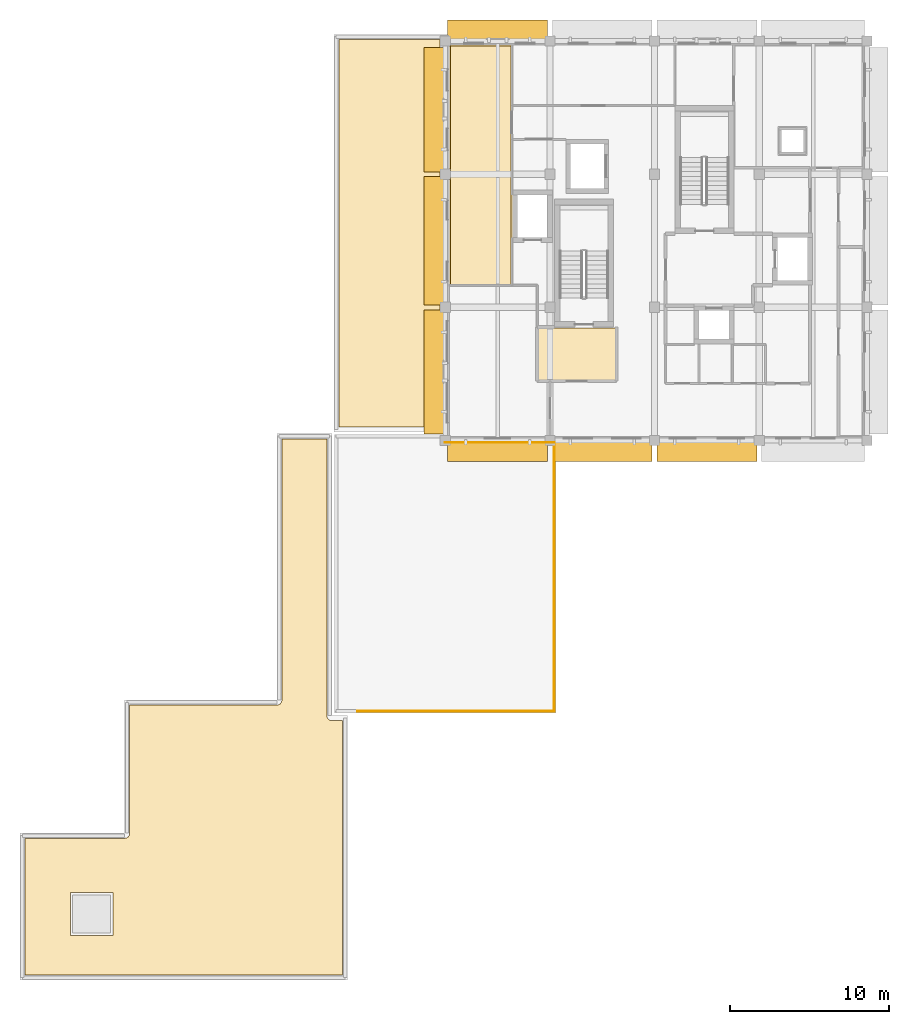
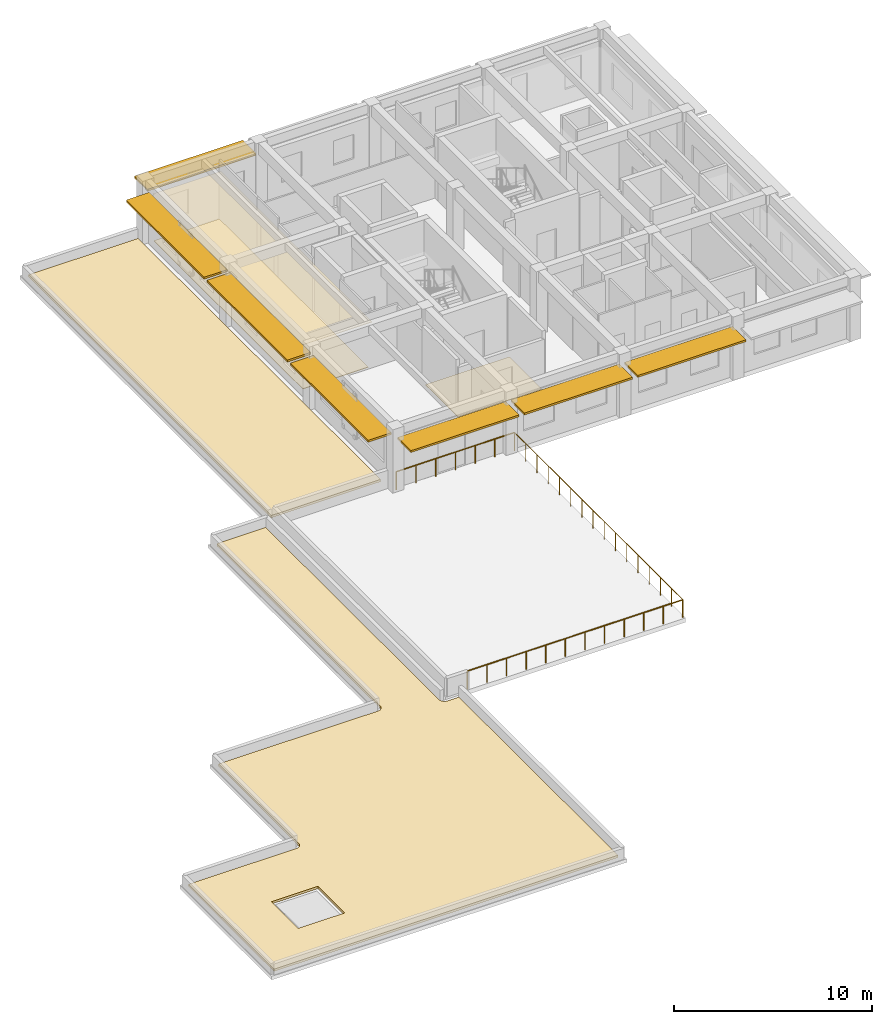
# One storey, part 6 of 7: 7 shading devices, 5 coverings, 3 railings.
"""IFC4 building model written with IfcOpenShell, lengths in metres."""

from ifc_helpers import new_model, si_unit, direction, frame, origin, origin_2d, place, context, subcontext, project, spatial, polyline, rectangle, circle, outline, extrude, material, layer, layer_set, type_object, element, save


model = new_model("IFC4")

# Units and contexts
model_context = context("Model", 3, precision=1e-05, world=origin(), true_north=direction((0.0, 1.0)))
body_context = subcontext(model_context, "Body", "Model", "MODEL_VIEW")
ifc_project = project(units=[si_unit("LENGTHUNIT", "METRE"), si_unit("AREAUNIT", "SQUARE_METRE"), si_unit("VOLUMEUNIT", "CUBIC_METRE"), si_unit("PLANEANGLEUNIT", "RADIAN"), si_unit("MASSUNIT", "GRAM", prefix="KILO")], contexts=[model_context])

# Site, building, storey
site_placement = place(None, origin())
site = spatial("IfcSite", under=ifc_project, at=site_placement, CompositionType="ELEMENT")
building_placement = place(site_placement, origin())
building = spatial("IfcBuilding", under=site, at=building_placement, Name="Kolvaren Faculty of Natural Sciences", CompositionType="ELEMENT")
storey_placement = place(building_placement, frame((0.0, 0.0, 32.699951171875)))
storey = spatial("IfcBuildingStorey", under=building, at=storey_placement, Name="L07", CompositionType="ELEMENT", Elevation=32.699951171875)

# Covering
ifc_material_1 = material(Name="Perforated mineral-fibre acoustic suspended ceiling tile")
ifc_layer_1 = layer(ifc_material_1, 0.02490234375)
ifc_layer_set_1 = layer_set([ifc_layer_1], Name="Perforated mineral-fibre acoustic suspended ceiling tile")
covering_type_1 = type_object("IfcCoveringType", Name="AcousticSuspendedCeiling_25", PredefinedType="CEILING", material=ifc_layer_set_1)
covering_1_placement = place(storey_placement, frame((0.0, 0.0, 2.824951171875)))
element("IfcCovering", 1, at=covering_1_placement, inside=storey, type_object=covering_type_1, Name="L07 L07 Interdisciplinary Seminar Classroom acoustic ceiling", PredefinedType="CEILING", context=body_context, shape_type="SweptSolid", body=[
    extrude(outline(polyline([(145.6201171875, 68.719970703125), (145.6201171875, 75.47509765625), (145.72509765625, 75.47509765625), (145.72509765625, 76.125), (145.6201171875, 76.125), (145.6201171875, 83.875), (145.72509765625, 83.875), (145.72509765625, 83.97998046875), (149.679931640625, 83.97998046875), (149.679931640625, 68.719970703125), (145.6201171875, 68.719970703125)])), origin(), (0.0, 0.0, 1.0), 0.025146484375),
])

# Shading devices
ifc_material_2 = material(Name="Precast concrete C35/45", Category="concrete")
ifc_layer_2 = layer(ifc_material_2, 0.1201171875)
ifc_layer_set_2 = layer_set([ifc_layer_2], Name="Precast concrete C35/45")
shading_device_type = type_object("IfcShadingDeviceType", Name="ChhajjaSolarHood_1350", PredefinedType="AWNING", material=ifc_layer_set_2)
shading_device_1_placement = place(storey_placement, frame((148.699951171875, 84.85498046875, 2.945068359375), z_axis=(0.0, 0.0, 1.0), x_axis=(1.0, 0.0, 0.0)))
element("IfcShadingDevice", 2, at=shading_device_1_placement, inside=storey, type_object=shading_device_type, Name="L07 precast sandstone chhajja solar hood 187", PredefinedType="AWNING", context=body_context, shape_type="SweptSolid", body=[
    extrude(rectangle(XDim=6.300048828125, YDim=1.35009765625, at=origin_2d()), origin(), (0.0, 0.0, 1.0), 0.1201171875),
])
shading_device_2_placement = place(storey_placement, frame((144.7451171875, 63.330078125, 3.044921875), z_axis=(0.0, 0.0, 1.0), x_axis=(0.0, 1.0, 0.0)))
element("IfcShadingDevice", 3, at=shading_device_2_placement, inside=storey, type_object=shading_device_type, Name="L07 precast sandstone chhajja solar hood 191", PredefinedType="AWNING", context=body_context, shape_type="SweptSolid", body=[
    extrude(rectangle(XDim=7.840087890625, YDim=1.35009765625, at=origin_2d()), origin(), (0.0, 0.0, 1.0), 0.1201171875),
])
shading_device_3_placement = place(storey_placement, frame((144.7451171875, 71.60009765625, 3.044921875), z_axis=(0.0, 0.0, 1.0), x_axis=(0.0, 1.0, 0.0)))
element("IfcShadingDevice", 4, at=shading_device_3_placement, inside=storey, type_object=shading_device_type, Name="L07 precast sandstone chhajja solar hood 192", PredefinedType="AWNING", context=body_context, shape_type="SweptSolid", body=[
    extrude(rectangle(XDim=8.10009765625, YDim=1.35009765625, at=origin_2d()), origin(), (0.0, 0.0, 1.0), 0.1201171875),
])
shading_device_4_placement = place(storey_placement, frame((144.7451171875, 79.8701171875, 3.044921875), z_axis=(0.0, 0.0, 1.0), x_axis=(0.0, 1.0, 0.0)))
element("IfcShadingDevice", 5, at=shading_device_4_placement, inside=storey, type_object=shading_device_type, Name="L07 precast sandstone chhajja solar hood 193", PredefinedType="AWNING", context=body_context, shape_type="SweptSolid", body=[
    extrude(rectangle(XDim=7.840087890625, YDim=1.35009765625, at=origin_2d()), origin(), (0.0, 0.0, 1.0), 0.1201171875),
])
for number, where, z_axis, x_axis, name in (
    (6, (161.89990234375, 58.344970703125, 2.945068359375), (0.0, 0.0, 1.0), (-1.0, 0.0, 0.0), "L07 precast sandstone chhajja solar hood 195"),
    (7, (155.300048828125, 58.344970703125, 2.945068359375), (0.0, 0.0, 1.0), (-1.0, 0.0, 0.0), "L07 precast sandstone chhajja solar hood 196"),
    (8, (148.699951171875, 58.344970703125, 2.945068359375), (0.0, 0.0, 1.0), (-1.0, 0.0, 0.0), "L07 precast sandstone chhajja solar hood 197"),
):
    element("IfcShadingDevice", number, at=place(storey_placement, frame(where, z_axis=z_axis, x_axis=x_axis)), inside=storey, type_object=shading_device_type, Name=name, PredefinedType="AWNING", context=body_context, shape_type="SweptSolid", body=[
        extrude(rectangle(XDim=6.300048828125, YDim=1.35009765625, at=origin_2d()), origin(), (0.0, 0.0, 1.0), 0.1201171875),
    ])

# Railings
ifc_material_3 = material(Name="Structural steel EN 10210-1 S355J2H", Category="steel")
ifc_layer_3 = layer(ifc_material_3, 0.048095703125)
ifc_layer_set_3 = layer_set([ifc_layer_3], Name="Structural steel EN 10210-1 S355J2H")
railing_type = type_object("IfcRailingType", Name="GuardRailing_GRD110", PredefinedType="BALUSTRADE", material=ifc_layer_set_3)
railing_1_placement = place(storey_placement, frame((145.39990234375, 58.8798828125, 0.0)))
element("IfcRailing", 9, at=railing_1_placement, inside=storey, type_object=railing_type, Name="L07 Earth Sciences Stepped Roof Terrace perimeter balustrade 21", PredefinedType="BALUSTRADE", context=body_context, shape_type="SweptSolid", body=[
    extrude(circle(Radius=0.02392578125, at=origin_2d()), frame((0.0, 0.0, 1.09619140625), z_axis=(1.0, 0.0, 0.0), x_axis=(0.0, 1.0, 0.0)), (0.0, 0.0, 1.0), 6.880126953125),
    extrude(circle(Radius=0.02099609375, at=origin_2d()), origin(), (0.0, 0.0, 1.0), 1.072021484375),
    extrude(circle(Radius=0.02099609375, at=origin_2d()), frame((1.146728515625, 0.0, 0.0)), (0.0, 0.0, 1.0), 1.072021484375),
    extrude(circle(Radius=0.02099609375, at=origin_2d()), frame((2.29345703125, 0.0, 0.0)), (0.0, 0.0, 1.0), 1.072021484375),
    extrude(circle(Radius=0.02099609375, at=origin_2d()), frame((3.43994140625, 0.0, 0.0)), (0.0, 0.0, 1.0), 1.072021484375),
    extrude(circle(Radius=0.02099609375, at=origin_2d()), frame((4.586669921875, 0.0, 0.0)), (0.0, 0.0, 1.0), 1.072021484375),
    extrude(circle(Radius=0.02099609375, at=origin_2d()), frame((5.7333984375, 0.0, 0.0)), (0.0, 0.0, 1.0), 1.072021484375),
    extrude(circle(Radius=0.02099609375, at=origin_2d()), frame((6.880126953125, 0.0, 0.0)), (0.0, 0.0, 1.0), 1.072021484375),
])
railing_2_placement = place(storey_placement, frame((152.280029296875, 58.8798828125, 0.0)))
element("IfcRailing", 10, at=railing_2_placement, inside=storey, type_object=railing_type, Name="L07 Earth Sciences Stepped Roof Terrace perimeter balustrade 22", PredefinedType="BALUSTRADE", context=body_context, shape_type="SweptSolid", body=[
    extrude(circle(Radius=0.02392578125, at=origin_2d()), frame((0.0, 0.0, 1.09619140625), z_axis=(0.0, -1.0, 0.0), x_axis=(1.0, 0.0, 0.0)), (0.0, 0.0, 1.0), 16.9599609375),
    extrude(circle(Radius=0.02099609375, at=origin_2d()), origin(), (0.0, 0.0, 1.0), 1.072021484375),
    extrude(circle(Radius=0.02099609375, at=origin_2d()), frame((0.0, -1.130615234375, 0.0)), (0.0, 0.0, 1.0), 1.072021484375),
    extrude(circle(Radius=0.02099609375, at=origin_2d()), frame((0.0, -2.26123046875, 0.0)), (0.0, 0.0, 1.0), 1.072021484375),
    extrude(circle(Radius=0.02099609375, at=origin_2d()), frame((0.0, -3.39208984375, 0.0)), (0.0, 0.0, 1.0), 1.072021484375),
    extrude(circle(Radius=0.02099609375, at=origin_2d()), frame((0.0, -4.522705078125, 0.0)), (0.0, 0.0, 1.0), 1.072021484375),
    extrude(circle(Radius=0.02099609375, at=origin_2d()), frame((0.0, -5.6533203125, 0.0)), (0.0, 0.0, 1.0), 1.072021484375),
    extrude(circle(Radius=0.02099609375, at=origin_2d()), frame((0.0, -6.783935546875, 0.0)), (0.0, 0.0, 1.0), 1.072021484375),
    extrude(circle(Radius=0.02099609375, at=origin_2d()), frame((0.0, -7.91455078125, 0.0)), (0.0, 0.0, 1.0), 1.072021484375),
    extrude(circle(Radius=0.02099609375, at=origin_2d()), frame((0.0, -9.04541015625, 0.0)), (0.0, 0.0, 1.0), 1.072021484375),
    extrude(circle(Radius=0.02099609375, at=origin_2d()), frame((0.0, -10.176025390625, 0.0)), (0.0, 0.0, 1.0), 1.072021484375),
    extrude(circle(Radius=0.02099609375, at=origin_2d()), frame((0.0, -11.306640625, 0.0)), (0.0, 0.0, 1.0), 1.072021484375),
    extrude(circle(Radius=0.02099609375, at=origin_2d()), frame((0.0, -12.437255859375, 0.0)), (0.0, 0.0, 1.0), 1.072021484375),
    extrude(circle(Radius=0.02099609375, at=origin_2d()), frame((0.0, -13.56787109375, 0.0)), (0.0, 0.0, 1.0), 1.072021484375),
    extrude(circle(Radius=0.02099609375, at=origin_2d()), frame((0.0, -14.69873046875, 0.0)), (0.0, 0.0, 1.0), 1.072021484375),
    extrude(circle(Radius=0.02099609375, at=origin_2d()), frame((0.0, -15.829345703125, 0.0)), (0.0, 0.0, 1.0), 1.072021484375),
    extrude(circle(Radius=0.02099609375, at=origin_2d()), frame((0.0, -16.9599609375, 0.0)), (0.0, 0.0, 1.0), 1.072021484375),
])
railing_3_placement = place(storey_placement, frame((152.280029296875, 41.919921875, 0.0)))
element("IfcRailing", 11, at=railing_3_placement, inside=storey, type_object=railing_type, Name="L07 Earth Sciences Stepped Roof Terrace perimeter balustrade 23", PredefinedType="BALUSTRADE", context=body_context, shape_type="SweptSolid", body=[
    extrude(circle(Radius=0.02392578125, at=origin_2d()), frame((0.0, 0.0, 1.09619140625), z_axis=(-1.0, 0.0, 0.0), x_axis=(0.0, -1.0, 0.0)), (0.0, 0.0, 1.0), 12.536865234375),
    extrude(circle(Radius=0.02099609375, at=origin_2d()), origin(), (0.0, 0.0, 1.0), 1.072021484375),
    extrude(circle(Radius=0.02099609375, at=origin_2d()), frame((-1.1396484375, 0.0, 0.0)), (0.0, 0.0, 1.0), 1.072021484375),
    extrude(circle(Radius=0.02099609375, at=origin_2d()), frame((-2.279541015625, 0.0, 0.0)), (0.0, 0.0, 1.0), 1.072021484375),
    extrude(circle(Radius=0.02099609375, at=origin_2d()), frame((-3.419189453125, 0.0, 0.0)), (0.0, 0.0, 1.0), 1.072021484375),
    extrude(circle(Radius=0.02099609375, at=origin_2d()), frame((-4.558837890625, 0.0, 0.0)), (0.0, 0.0, 1.0), 1.072021484375),
    extrude(circle(Radius=0.02099609375, at=origin_2d()), frame((-5.698486328125, 0.0, 0.0)), (0.0, 0.0, 1.0), 1.072021484375),
    extrude(circle(Radius=0.02099609375, at=origin_2d()), frame((-6.83837890625, 0.0, 0.0)), (0.0, 0.0, 1.0), 1.072021484375),
    extrude(circle(Radius=0.02099609375, at=origin_2d()), frame((-7.97802734375, 0.0, 0.0)), (0.0, 0.0, 1.0), 1.072021484375),
    extrude(circle(Radius=0.02099609375, at=origin_2d()), frame((-9.11767578125, 0.0, 0.0)), (0.0, 0.0, 1.0), 1.072021484375),
    extrude(circle(Radius=0.02099609375, at=origin_2d()), frame((-10.25732421875, 0.0, 0.0)), (0.0, 0.0, 1.0), 1.072021484375),
    extrude(circle(Radius=0.02099609375, at=origin_2d()), frame((-11.397216796875, 0.0, 0.0)), (0.0, 0.0, 1.0), 1.072021484375),
    extrude(circle(Radius=0.02099609375, at=origin_2d()), frame((-12.536865234375, 0.0, 0.0)), (0.0, 0.0, 1.0), 1.072021484375),
])

# Coverings
ifc_material_4 = material(Name="SBS polymer-modified bitumen waterproofing membrane over PIR insulation")
ifc_layer_4 = layer(ifc_material_4, 0.139892578125)
ifc_layer_set_4 = layer_set([ifc_layer_4], Name="SBS polymer-modified bitumen waterproofing membrane over PIR insulation")
covering_type_2 = type_object("IfcCoveringType", Name="InsulatedRoofMembrane_140", PredefinedType="ROOFING", material=ifc_layer_set_4)
covering_2_placement = place(storey_placement, origin())
element("IfcCovering", 12, at=covering_2_placement, inside=storey, type_object=covering_type_2, Name="L07 insulated warm-roof waterproofing membrane 1", PredefinedType="ROOFING", context=body_context, shape_type="SweptSolid", body=[
    extrude(outline(polyline([(134.77001953125, 42.31005859375), (134.801513671875, 42.3115234375), (134.83251953125, 42.316162109375), (134.86279296875, 42.32373046875), (134.892578125, 42.33447265625), (134.9208984375, 42.347900390625), (134.94775390625, 42.364013671875), (134.972900390625, 42.382568359375), (134.996337890625, 42.40380859375), (135.017333984375, 42.427001953125), (135.0361328125, 42.4521484375), (135.05224609375, 42.479248046875), (135.065673828125, 42.507568359375), (135.076171875, 42.537109375), (135.083984375, 42.567626953125), (135.08837890625, 42.5986328125), (135.090087890625, 42.6298828125), (135.090087890625, 59.110107421875), (137.929931640625, 59.110107421875), (137.929931640625, 41.64990234375), (137.931396484375, 41.61865234375), (137.93603515625, 41.587646484375), (137.94384765625, 41.55712890625), (137.954345703125, 41.527587890625), (137.9677734375, 41.499267578125), (137.98388671875, 41.47216796875), (138.002685546875, 41.447021484375), (138.023681640625, 41.423583984375), (138.047119140625, 41.402587890625), (138.072265625, 41.3837890625), (138.09912109375, 41.367919921875), (138.12744140625, 41.3544921875), (138.156982421875, 41.34375), (138.1875, 41.336181640625), (138.218505859375, 41.33154296875), (138.25, 41.330078125), (138.909912109375, 41.330078125), (138.909912109375, 25.2900390625), (118.889892578125, 25.2900390625), (118.889892578125, 33.909912109375), (125.169921875, 33.909912109375), (125.201416015625, 33.91162109375), (125.232421875, 33.916015625), (125.262939453125, 33.923828125), (125.29248046875, 33.934326171875), (125.32080078125, 33.94775390625), (125.347900390625, 33.9638671875), (125.373046875, 33.982666015625), (125.396240234375, 34.003662109375), (125.41748046875, 34.027099609375), (125.43603515625, 34.05224609375), (125.4521484375, 34.0791015625), (125.465576171875, 34.107421875), (125.476318359375, 34.13720703125), (125.48388671875, 34.16748046875), (125.488525390625, 34.198486328125), (125.489990234375, 34.22998046875), (125.489990234375, 42.31005859375), (134.77001953125, 42.31005859375)]), holes=[polyline([(124.443115234375, 30.486083984375), (121.742919921875, 30.486083984375), (121.742919921875, 27.785888671875), (124.443115234375, 27.785888671875), (124.443115234375, 30.486083984375)])]), origin(), (0.0, 0.0, 1.0), 0.14013671875),
])
covering_3_placement = place(storey_placement, origin())
element("IfcCovering", 13, at=covering_3_placement, inside=storey, type_object=covering_type_2, Name="L07 insulated warm-roof waterproofing membrane 1", PredefinedType="ROOFING", context=body_context, shape_type="SweptSolid", body=[
    extrude(outline(polyline([(138.68994140625, 84.31005859375), (145.07861328125, 84.31005859375), (145.076416015625, 84.30419921875), (145.07568359375, 84.30224609375), (145.0712890625, 84.287109375), (145.07080078125, 84.285400390625), (145.064208984375, 84.25390625), (145.06396484375, 84.251953125), (145.060546875, 84.218017578125), (145.060302734375, 84.216064453125), (145.06005859375, 84.199951171875), (145.06005859375, 59.8701171875), (138.68994140625, 59.8701171875), (138.68994140625, 84.31005859375)])), origin(), (0.0, 0.0, 1.0), 0.14013671875),
])
ifc_material_5 = material(Name="Polished Uruguayan grey granite terrazzo flooring", Category="masonry")
ifc_layer_5 = layer(ifc_material_5, 0.030029296875)
ifc_layer_set_5 = layer_set([ifc_layer_5], Name="Polished Uruguayan grey granite terrazzo flooring")
covering_type_3 = type_object("IfcCoveringType", Name="TerrazzoFloorFinish_30", PredefinedType="FLOORING", material=ifc_layer_set_5)
covering_4_placement = place(storey_placement, origin())
element("IfcCovering", 14, at=covering_4_placement, inside=storey, type_object=covering_type_3, Name="L07 L07 Firefighting Rescue Lobby CORE-C2 floor finish", PredefinedType="FLOORING", context=body_context, shape_type="SweptSolid", body=[
    extrude(outline(polyline([(156.139892578125, 66.090087890625), (156.139892578125, 62.81005859375), (151.260009765625, 62.81005859375), (151.260009765625, 66.090087890625), (156.139892578125, 66.090087890625)])), origin(), (0.0, 0.0, 1.0), 0.030029296875),
])
covering_5_placement = place(storey_placement, origin())
element("IfcCovering", 15, at=covering_5_placement, inside=storey, type_object=covering_type_3, Name="L07 L07 Interdisciplinary Seminar Classroom floor finish", PredefinedType="FLOORING", context=body_context, shape_type="SweptSolid", body=[
    extrude(outline(polyline([(145.719970703125, 75.47509765625), (145.72509765625, 75.47509765625), (145.72509765625, 76.125), (145.719970703125, 76.125), (145.719970703125, 83.875), (145.72509765625, 83.875), (145.72509765625, 83.8798828125), (149.5400390625, 83.8798828125), (149.5400390625, 68.860107421875), (145.719970703125, 68.860107421875), (145.719970703125, 75.47509765625)])), origin(), (0.0, 0.0, 1.0), 0.030029296875),
])

save(model, "model.ifc")
